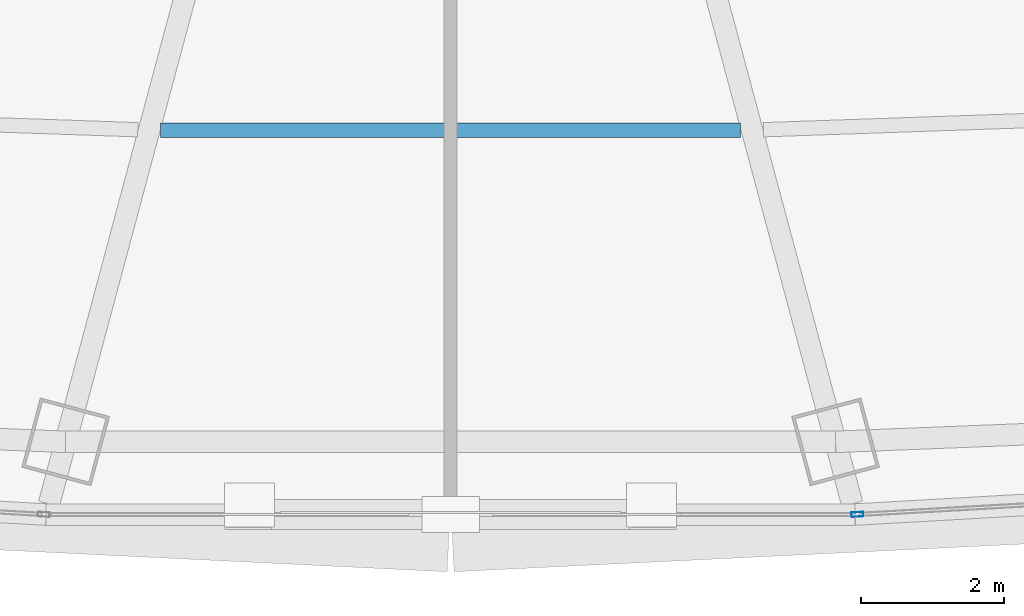
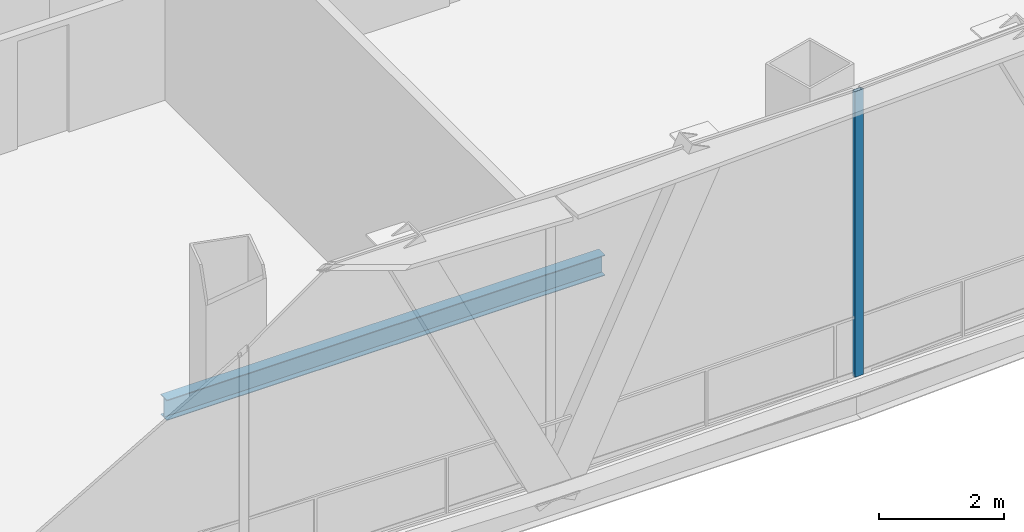
# One storey, part 11 of 36: 1 beam, 1 member, 1 element without a shape of its own.
"""IFC4 building model written with IfcOpenShell, lengths in metres."""

from ifc_helpers import new_model, si_unit, direction, frame, origin, origin_2d, place, context, subcontext, project, spatial, hollow_rectangle, i_section, extrude, source, transform, mapped, material, layer, layer_set, material_profile, profile_set, type_object, element, aggregate, save


model = new_model("IFC4")

# Units and contexts
model_context = context("Model", 3, precision=1e-05, world=origin(), true_north=direction((0.0, 1.0)))
body_context = subcontext(model_context, "Body", "Model", "MODEL_VIEW")
ifc_project = project(units=[si_unit("LENGTHUNIT", "METRE"), si_unit("AREAUNIT", "SQUARE_METRE"), si_unit("VOLUMEUNIT", "CUBIC_METRE"), si_unit("PLANEANGLEUNIT", "RADIAN"), si_unit("MASSUNIT", "GRAM", prefix="KILO"), si_unit("THERMODYNAMICTEMPERATUREUNIT", "KELVIN"), si_unit("POWERUNIT", "WATT")], contexts=[model_context])

# Site, building, storey
site_placement = place(None, origin())
site = spatial("IfcSite", under=ifc_project, at=site_placement, CompositionType="ELEMENT")
building_placement = place(site_placement, origin())
building = spatial("IfcBuilding", under=site, at=building_placement, Name="Yunzhuo Pagoda Commons", CompositionType="ELEMENT")
storey_placement = place(building_placement, frame((0.0, 0.0, 119.179931640625)))
storey = spatial("IfcBuildingStorey", under=building, at=storey_placement, Name="L30", CompositionType="ELEMENT", Elevation=119.179931640625)

# Beam
ifc_material_1 = material(Name="Structural steel Q355B", Category="steel")
ifc_material_profile_1 = material_profile(ifc_material_1, i_section(OverallWidth=0.199951171875, OverallDepth=0.39990234375, WebThickness=0.008056640625, FlangeThickness=0.012939453125, at=origin_2d()), Name="Structural steel Q355B")
ifc_profile_set_1 = profile_set([ifc_material_profile_1], Name="Structural steel Q355B")
beam_type = type_object("IfcBeamType", Name="B-JS1 Joist HN 400x200x8x13", PredefinedType="JOIST", material=ifc_profile_set_1)
shared_shape_1 = source(origin(), body_context, "Body", "SweptSolid", [
    extrude(i_section(OverallWidth=0.199951171875, OverallDepth=0.39990234375, WebThickness=0.008056640625, FlangeThickness=0.012939453125, at=origin_2d()), origin(), (0.0, 0.0, 1.0), 8.087890625),
])
beam_placement = place(storey_placement, frame((43.9560546875, 18.014404296875, -0.47998046875), z_axis=(1.0, 0.0, 0.0), x_axis=(0.0, 1.0, 0.0)))
element("IfcBeam", 1, at=beam_placement, inside=storey, type_object=beam_type, Name="L30 composite ring joist 2.2", PredefinedType="JOIST", context=body_context, shape_type="MappedRepresentation", body=[
    mapped(shared_shape_1, transform((0.0, 0.0, 0.0), scale=1.0)),
])

# Curtain wall, member
ifc_material_2 = material(Name="Anodized aluminium 6063-T6", Category="aluminium")
ifc_layer = layer(ifc_material_2, 0.1650390625)
ifc_layer_set = layer_set([ifc_layer], Name="Anodized aluminium 6063-T6")
curtain_wall_type = type_object("IfcCurtainWallType", Name="CW-LOW Low-Zone Ribbon Curtain Wall", PredefinedType="NOTDEFINED", material=ifc_layer_set)
curtain_wall_placement = place(storey_placement, origin())
curtain_wall = element("IfcCurtainWall", 2, at=curtain_wall_placement, inside=storey, type_object=curtain_wall_type, Name="L30 curtain wall CW-L30-F1B4", PredefinedType="NOTDEFINED")
ifc_material_profile_2 = material_profile(ifc_material_2, hollow_rectangle(XDim=0.06494140625, YDim=0.1650390625, WallThickness=0.00390625, at=origin_2d()), Name="Anodized aluminium 6063-T6")
ifc_profile_set_2 = profile_set([ifc_material_profile_2], Name="Anodized aluminium 6063-T6")
member_type = type_object("IfcMemberType", Name="CW-LOW-M Mullion RHS 165x65x4", PredefinedType="MULLION", material=ifc_profile_set_2)
shared_shape_2 = source(origin(), body_context, "Body", "SweptSolid", [
    extrude(hollow_rectangle(XDim=0.06494140625, YDim=0.1650390625, WallThickness=0.00390625, at=origin_2d()), origin(), (0.0, 0.0, 1.0), 5.570068359375),
])
member_placement = place(storey_placement, frame((53.671630859375, 12.656005859375, 0.0), z_axis=(0.0, 0.0, 1.0), x_axis=(-0.056890920994, 0.998380400002, 0.0)))
member = element("IfcMember", 3, at=member_placement, type_object=member_type, Name="CW mullion 1", PredefinedType="MULLION", context=body_context, shape_type="MappedRepresentation", body=[
    mapped(shared_shape_2, transform((0.0, 0.0, 0.0), scale=1.0)),
])
aggregate(curtain_wall, [member])

save(model, "model.ifc")
